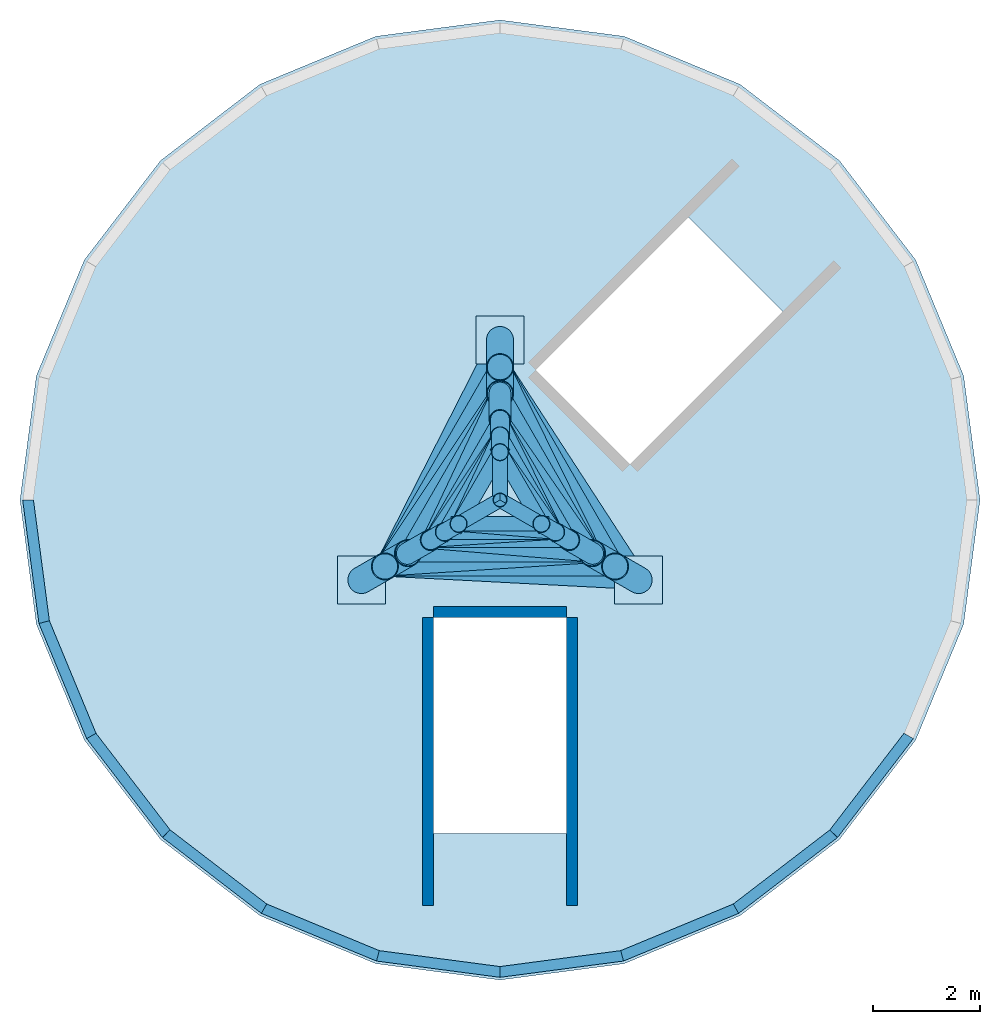
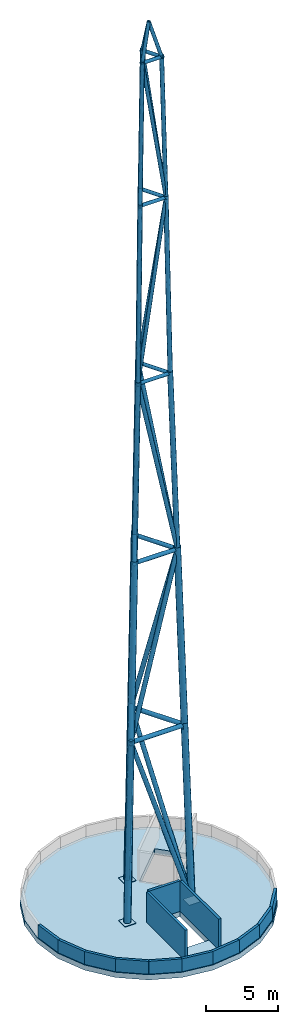
# One storey, part 1 of 2: 48 members, 13 walls, 3 plates, 1 slab.
"""IFC4 building model written with IfcOpenShell, lengths in metres."""

import ifcopenshell
import ifcopenshell.guid

model = None  # the IFC model being written
_history = None  # IfcOwnerHistory: only IFC2X3 demands one
_inside = {}  # id of a spatial element -> (the spatial element, [elements in it])
_under = {}  # id of a project, library or spatial element -> (it, [spatial elements below it])
_declared = {}  # id of a project -> (the project, [libraries it declares])
_typed = {}  # id of a type object -> (the type object, [elements of that type])
_made_of = {}  # id of a material, layer set ... -> (it, [elements and type objects made of it])


def new_model(schema):
    """Start an empty IFC model of exactly this schema.

    Asked for "IFC4X3", IfcOpenShell would pick the latest addendum, in which some entities
    have other attributes; the version numbers below select the first issue.
    IFC2X3 requires an IfcOwnerHistory on every rooted entity: one is made here for all.
    """
    global model, _history
    if schema == "IFC4X3":
        model = ifcopenshell.file(schema_version=(4, 3, 0, 0))
    else:
        model = ifcopenshell.file(schema=schema)
    _inside.clear()
    _under.clear()
    _declared.clear()
    _typed.clear()
    _made_of.clear()
    _history = None
    if model.schema == "IFC2X3":
        org = make("IfcOrganization", Name="unknown")
        user = make(
            "IfcPersonAndOrganization",
            ThePerson=make("IfcPerson", FamilyName="unknown"),
            TheOrganization=org,
        )
        app = make(
            "IfcApplication",
            ApplicationDeveloper=org,
            Version="unknown",
            ApplicationFullName="unknown",
            ApplicationIdentifier="unknown",
        )
        _history = make(
            "IfcOwnerHistory",
            OwningUser=user,
            OwningApplication=app,
            ChangeAction="ADDED",
            CreationDate=0,
        )
    return model


def make(cls, **values):
    """One entity of the class cls with the attributes given. An attribute that is None is left unset."""
    return model.create_entity(
        cls, **{name: value for name, value in values.items() if value is not None}
    )


def rooted(cls, **values):
    """An entity with a GlobalId (a new one), such as an element, a storey or a relation."""
    return make(cls, GlobalId=ifcopenshell.guid.new(), OwnerHistory=_history, **values)


def si_unit(unit_type, name, prefix=None):
    """IfcSIUnit, for example si_unit("LENGTHUNIT", "METRE", prefix="MILLI")."""
    return make("IfcSIUnit", UnitType=unit_type, Prefix=prefix, Name=name)


def assignment(units):
    """IfcUnitAssignment: the units of a project."""
    return None if units is None else make("IfcUnitAssignment", Units=units)


def point(xyz):
    """IfcCartesianPoint."""
    return None if xyz is None else make("IfcCartesianPoint", Coordinates=xyz)


def direction(xyz):
    """IfcDirection."""
    return None if xyz is None else make("IfcDirection", DirectionRatios=xyz)


def frame(location, z_axis=None, x_axis=None):
    """IfcAxis2Placement3D, a coordinate frame: its origin and axes. An axis left out is left unset."""
    return make(
        "IfcAxis2Placement3D",
        Location=point(location),
        Axis=direction(z_axis),
        RefDirection=direction(x_axis),
    )


def frame_2d(location, x_axis=None):
    """IfcAxis2Placement2D, a coordinate frame in the plane: its origin and x axis."""
    return make(
        "IfcAxis2Placement2D", Location=point(location), RefDirection=direction(x_axis)
    )


def origin():
    """The frame at (0, 0, 0) with its axes left unset."""
    return frame((0.0, 0.0, 0.0))


def origin_2d():
    """The frame at (0, 0) in the plane with its x axis left unset."""
    return frame_2d((0.0, 0.0))


def place(relative_to, where):
    """IfcLocalPlacement: puts the frame where relative to a parent placement (None: the world)."""
    return make(
        "IfcLocalPlacement", PlacementRelTo=relative_to, RelativePlacement=where
    )


def context(
    kind, dimensions, precision=None, world=None, true_north=None, identifier=None
):
    """IfcGeometricRepresentationContext, for example the 3D "Model" context."""
    return make(
        "IfcGeometricRepresentationContext",
        ContextIdentifier=identifier,
        ContextType=kind,
        CoordinateSpaceDimension=dimensions,
        Precision=precision,
        WorldCoordinateSystem=world,
        TrueNorth=true_north,
    )


def subcontext(parent, identifier, kind, view, scale=None):
    """IfcGeometricRepresentationSubContext, for example "Body" below "Model"."""
    return make(
        "IfcGeometricRepresentationSubContext",
        ContextIdentifier=identifier,
        ContextType=kind,
        ParentContext=parent,
        TargetScale=scale,
        TargetView=view,
    )


def project(units=None, contexts=None):
    """IfcProject with its units and contexts."""
    return rooted(
        "IfcProject",
        Name="project",
        RepresentationContexts=contexts,
        UnitsInContext=assignment(units),
    )


def spatial(cls, under=None, at=None, **own):
    """A site, building, storey or space (cls), placed at a placement, below another one or the project."""
    s = rooted(cls, ObjectPlacement=at, **own)
    if under is not None:
        _under.setdefault(under.id(), (under, []))[1].append(s)
    return s


def polyline(points):
    """IfcPolyline through the points."""
    return make("IfcPolyline", Points=[point(p) for p in points])


def profile(cls, at=None, kind="AREA", **sizes):
    """A parametric profile (cls). Its sizes go by their IFC names, for example OverallWidth=200.0."""
    return make(cls, ProfileType=kind, Position=at, **sizes)


def rectangle(**sizes):
    """IfcRectangleProfileDef."""
    return profile("IfcRectangleProfileDef", **sizes)


def hollow_circle(**sizes):
    """IfcCircleHollowProfileDef."""
    return profile("IfcCircleHollowProfileDef", **sizes)


def outline(outer, holes=None, kind="AREA"):
    """IfcArbitraryClosedProfileDef: a profile drawn as a closed curve; with holes, ...WithVoids."""
    if holes is None:
        return make("IfcArbitraryClosedProfileDef", ProfileType=kind, OuterCurve=outer)
    return make(
        "IfcArbitraryProfileDefWithVoids",
        ProfileType=kind,
        OuterCurve=outer,
        InnerCurves=holes,
    )


def extrude(swept, where, along, depth):
    """IfcExtrudedAreaSolid: the profile swept, set in the frame where, extruded along a direction by depth."""
    return make(
        "IfcExtrudedAreaSolid",
        SweptArea=swept,
        Position=where,
        ExtrudedDirection=direction(along),
        Depth=depth,
    )


def shape(context_of_items, identifier, shape_type, items):
    """IfcShapeRepresentation: the items that make up one representation, for example the "Body"."""
    return make(
        "IfcShapeRepresentation",
        ContextOfItems=context_of_items,
        RepresentationIdentifier=identifier,
        RepresentationType=shape_type,
        Items=items,
    )


def material(Name=None, Category=None):
    """IfcMaterial."""
    return make("IfcMaterial", Name=Name, Category=Category)


def layer(
    of_material, thickness, ventilated=None, Name=None, Category=None, Priority=None
):
    """IfcMaterialLayer: one layer of a wall or slab, of a material (None: an air gap)."""
    return make(
        "IfcMaterialLayer",
        Material=of_material,
        LayerThickness=thickness,
        IsVentilated=ventilated,
        Name=Name,
        Category=Category,
        Priority=Priority,
    )


def layer_set(layers, Name=None):
    """IfcMaterialLayerSet."""
    return make("IfcMaterialLayerSet", MaterialLayers=layers, LayerSetName=Name)


def layer_usage(for_layer_set, set_direction, sense, offset, extent=None):
    """IfcMaterialLayerSetUsage: how a layer set lies in its element."""
    return make(
        "IfcMaterialLayerSetUsage",
        ForLayerSet=for_layer_set,
        LayerSetDirection=set_direction,
        DirectionSense=sense,
        OffsetFromReferenceLine=offset,
        ReferenceExtent=extent,
    )


def material_profile(
    of_material, cross_section, Name=None, Category=None, Priority=None
):
    """IfcMaterialProfile: a cross section and its material."""
    return make(
        "IfcMaterialProfile",
        Name=Name,
        Material=of_material,
        Profile=cross_section,
        Priority=Priority,
        Category=Category,
    )


def profile_set(profiles, Name=None, composite=None):
    """IfcMaterialProfileSet."""
    return make(
        "IfcMaterialProfileSet",
        Name=Name,
        MaterialProfiles=profiles,
        CompositeProfile=composite,
    )


def made_of(thing, what):
    """Note that an element or type object is made of a material, layer set ...; save() writes the relation."""
    if what is not None:
        _made_of.setdefault(what.id(), (what, []))[1].append(thing)
    return thing


def type_object(cls, material=None, **own):
    """A type object (cls), such as IfcWallType, which elements share."""
    return made_of(rooted(cls, **own), material)


def element(
    cls,
    number,
    at=None,
    inside=None,
    cuts=None,
    type_object=None,
    material=None,
    context=None,
    identifier="Body",
    shape_type=None,
    held_by="IfcProductDefinitionShape",
    body=None,
    shapes=None,
    **own,
):
    """One element of the class cls, such as IfcWall. Its Tag is "e" and its number.

    at: its placement. inside: the storey or other place that contains it. cuts: it is an
    opening in that element (IfcRelVoidsElement). A single representation is given by context,
    identifier, shape_type and body (its items); several are given by shapes. held_by: the class
    of the entity that holds the representations. save() writes the other relations.
    """
    e = rooted(cls, Tag="e%d" % number, ObjectPlacement=at, **own)
    if body is not None:
        shapes = [shape(context, identifier, shape_type, body)]
    if shapes is not None:
        e.Representation = make(held_by, Representations=shapes)
    if inside is not None:
        _inside.setdefault(inside.id(), (inside, []))[1].append(e)
    if cuts is not None:
        rooted(
            "IfcRelVoidsElement", RelatingBuildingElement=cuts, RelatedOpeningElement=e
        )
    if type_object is not None:
        _typed.setdefault(type_object.id(), (type_object, []))[1].append(e)
    return made_of(e, material)


def aggregate(whole, parts):
    """IfcRelAggregates: a whole, such as a stair, and the parts it consists of."""
    return rooted("IfcRelAggregates", RelatingObject=whole, RelatedObjects=parts)


def save(model, path):
    """Write the relations noted so far, then the file.

    IfcRelAggregates (storeys below a building ...), IfcRelContainedInSpatialStructure (elements
    in a storey), IfcRelDefinesByType, IfcRelAssociatesMaterial and IfcRelDeclares: one each for
    every whole, place, type object, material and project.
    """
    for whole, parts in _under.values():
        aggregate(whole, parts)
    for where, things in _inside.values():
        rooted(
            "IfcRelContainedInSpatialStructure",
            RelatedElements=things,
            RelatingStructure=where,
        )
    for kind, things in _typed.values():
        rooted("IfcRelDefinesByType", RelatedObjects=things, RelatingType=kind)
    for what, things in _made_of.values():
        rooted("IfcRelAssociatesMaterial", RelatedObjects=things, RelatingMaterial=what)
    for by, libraries in _declared.values():
        rooted("IfcRelDeclares", RelatingContext=by, RelatedDefinitions=libraries)
    model.write(path)


model = new_model("IFC4")

# Units and contexts
model_context = context("Model", 3, precision=1e-05, world=origin(), true_north=direction((0.0, 1.0)))
body_context = subcontext(model_context, "Body", "Model", "MODEL_VIEW")
ifc_project = project(units=[si_unit("LENGTHUNIT", "METRE"), si_unit("AREAUNIT", "SQUARE_METRE"), si_unit("VOLUMEUNIT", "CUBIC_METRE"), si_unit("PLANEANGLEUNIT", "RADIAN"), si_unit("MASSUNIT", "GRAM", prefix="KILO")], contexts=[model_context])

# Site, building, storey
site_placement = place(None, origin())
site = spatial("IfcSite", under=ifc_project, at=site_placement, CompositionType="ELEMENT")
building_placement = place(site_placement, origin())
building = spatial("IfcBuilding", under=site, at=building_placement, Name="Triada Interchange Tower", CompositionType="ELEMENT")
storey_placement = place(building_placement, frame((0.0, 0.0, 335.800048828125)))
storey = spatial("IfcBuildingStorey", under=building, at=storey_placement, Name="Roof crown", CompositionType="ELEMENT", Elevation=335.800048828125)

# Members
ifc_material_1 = material(Name="Steel S355", Category="steel")
ifc_material_profile_1 = material_profile(ifc_material_1, hollow_circle(Radius=0.136474609375, WallThickness=0.010009765625, at=origin_2d()), Name="CHS 273x10")
ifc_profile_set_1 = profile_set([ifc_material_profile_1], Name="Steel S355")
member_type_1 = type_object("IfcMemberType", Name="MAST cap strut CHS 273x10", PredefinedType="BRACE", material=ifc_profile_set_1)
for number, where, z_axis, x_axis, name in (
    (1, (0.0, 0.89990234375, 72.0400390625), (0.0, -0.287319280374, 0.957834866313), (1.0, 0.0, 0.0), "MAST cap strut 01"),
    (2, (-0.779052734375, -0.449951171875, 72.0400390625), (0.248740265826, 0.143662898752, 0.957856592439), (-0.500137434689, 0.865946041288, 0.0), "MAST cap strut 02"),
    (3, (0.779052734375, -0.449951171875, 72.0400390625), (-0.248740265826, 0.143662898752, 0.957856592439), (-0.500137434689, -0.865946041288, 0.0), "MAST cap strut 03"),
):
    element("IfcMember", number, at=place(storey_placement, frame(where, z_axis=z_axis, x_axis=x_axis)), inside=storey, type_object=member_type_1, Name=name, PredefinedType="BRACE", context=body_context, shape_type="SweptSolid", body=[
        extrude(hollow_circle(Radius=0.136474609375, WallThickness=0.010009765625, at=origin_2d()), origin(), (0.0, 0.0, 1.0), 3.132080078125),
    ])
ifc_material_profile_2 = material_profile(ifc_material_1, hollow_circle(Radius=0.136474609375, WallThickness=0.010009765625, at=origin_2d()), Name="CHS 273x10")
ifc_profile_set_2 = profile_set([ifc_material_profile_2], Name="Steel S355")
member_type_2 = type_object("IfcMemberType", Name="MAST diag CHS 273x10", PredefinedType="BRACE", material=ifc_profile_set_2)
member_1_placement = place(storey_placement, frame((-1.31103515625, -0.76806640625, 44.905029296875), z_axis=(0.085601208954, 0.128504490652, 0.988007605693), x_axis=(-0.832254848635, 0.554393242133, 0.0)))
element("IfcMember", 4, at=member_1_placement, inside=storey, type_object=member_type_2, Name="MAST diagonal 10", PredefinedType="BRACE", context=body_context, shape_type="SweptSolid", body=[
    extrude(hollow_circle(Radius=0.136474609375, WallThickness=0.010009765625, at=origin_2d()), origin(), (0.0, 0.0, 1.0), 15.455322265625),
])
member_2_placement = place(storey_placement, frame((-1.320068359375, -0.7509765625, 44.905029296875), z_axis=(0.154002222854, 0.009825559813, 0.988021646388), x_axis=(-0.063671954956, 0.997970882417, 0.0)))
element("IfcMember", 5, at=member_2_placement, inside=storey, type_object=member_type_2, Name="MAST diagonal 11", PredefinedType="BRACE", context=body_context, shape_type="SweptSolid", body=[
    extrude(hollow_circle(Radius=0.136474609375, WallThickness=0.010009765625, at=origin_2d()), origin(), (0.0, 0.0, 1.0), 15.455078125),
])
member_3_placement = place(storey_placement, frame((-0.009033203125, 1.51904296875, 44.905029296875), z_axis=(0.068462653547, -0.138331208378, 0.988016873266), x_axis=(0.89624152386, 0.443566377117, 0.0)))
element("IfcMember", 6, at=member_3_placement, inside=storey, type_object=member_type_2, Name="MAST diagonal 12", PredefinedType="BRACE", context=body_context, shape_type="SweptSolid", body=[
    extrude(hollow_circle(Radius=0.136474609375, WallThickness=0.010009765625, at=origin_2d()), origin(), (0.0, 0.0, 1.0), 15.455322265625),
])
for number, where, z_axis, x_axis, name in (
    (7, (0.009033203125, 1.218994140625, 59.905029296875), (-0.064225750156, -0.136005156686, 0.988624119861), (0.904245841249, -0.42701224641, 0.0), "MAST diagonal 13"),
    (8, (1.06005859375, -0.60205078125, 59.905029296875), (-0.149873670301, 0.01241242761, 0.988627237431), (-0.082536690481, -0.996588026581, 0.0), "MAST diagonal 14"),
    (9, (1.051025390625, -0.616943359375, 59.905029296875), (-0.085647948228, 0.123593490748, 0.988629899411), (-0.821933085745, -0.569584061011, 0.0), "MAST diagonal 15"),
):
    element("IfcMember", number, at=place(storey_placement, frame(where, z_axis=z_axis, x_axis=x_axis)), inside=storey, type_object=member_type_2, Name=name, PredefinedType="BRACE", context=body_context, shape_type="SweptSolid", body=[
        extrude(hollow_circle(Radius=0.136474609375, WallThickness=0.010009765625, at=origin_2d()), origin(), (0.0, 0.0, 1.0), 12.4111328125),
    ])
ifc_material_profile_3 = material_profile(ifc_material_1, hollow_circle(Radius=0.161865234375, WallThickness=0.010009765625, at=origin_2d()), Name="CHS 323.9x10")
ifc_profile_set_3 = profile_set([ifc_material_profile_3], Name="Steel S355")
member_type_3 = type_object("IfcMemberType", Name="MAST diag CHS 323.9x10", PredefinedType="BRACE", material=ifc_profile_set_3)
member_4_placement = place(storey_placement, frame((0.013916015625, 2.029052734375, 29.880859375), z_axis=(-0.084895771097, -0.179663506745, 0.980058025014), x_axis=(0.904142387177, -0.4272312532, 0.0)))
element("IfcMember", 10, at=member_4_placement, inside=storey, type_object=member_type_3, Name="MAST diagonal 07", PredefinedType="BRACE", context=body_context, shape_type="SweptSolid", body=[
    extrude(hollow_circle(Radius=0.161865234375, WallThickness=0.010009765625, at=origin_2d()), origin(), (0.0, 0.0, 1.0), 15.6298828125),
])
for number, where, z_axis, x_axis, name in (
    (11, (1.763916015625, -1.0029296875, 29.880859375), (-0.198017977424, 0.016370027636, 0.980061683167), (-0.082388350189, -0.9966003009, 0.0), "MAST diagonal 08"),
    (12, (1.75, -1.02587890625, 29.880859375), (-0.113123459485, 0.163265175165, 0.980075285625), (-0.821971301659, -0.569528909933, 0.0), "MAST diagonal 09"),
):
    element("IfcMember", number, at=place(storey_placement, frame(where, z_axis=z_axis, x_axis=x_axis)), inside=storey, type_object=member_type_3, Name=name, PredefinedType="BRACE", context=body_context, shape_type="SweptSolid", body=[
        extrude(hollow_circle(Radius=0.161865234375, WallThickness=0.010009765625, at=origin_2d()), origin(), (0.0, 0.0, 1.0), 15.629638671875),
    ])
ifc_material_profile_4 = material_profile(ifc_material_1, hollow_circle(Radius=0.177734375, WallThickness=0.012451171875, at=origin_2d()), Name="CHS 355.6x12.5")
ifc_profile_set_4 = profile_set([ifc_material_profile_4], Name="Steel S355")
member_type_4 = type_object("IfcMemberType", Name="MAST diag CHS 355.6x12.5", PredefinedType="BRACE", material=ifc_profile_set_4)
for number, where, z_axis, x_axis, name in (
    (13, (0.0, 3.0, 0.0400390625), (-0.137580856494, -0.270023520466, 0.952973665072), (0.891010527346, -0.453982643016, 0.0), "MAST diagonal 01"),
    (14, (2.597900390625, -1.5, 0.0400390625), (-0.30261833847, 0.015890146916, 0.952979351535), (-0.052436630849, -0.998624253533, 0.0), "MAST diagonal 02"),
):
    element("IfcMember", number, at=place(storey_placement, frame(where, z_axis=z_axis, x_axis=x_axis)), inside=storey, type_object=member_type_4, Name=name, PredefinedType="BRACE", context=body_context, shape_type="SweptSolid", body=[
        extrude(hollow_circle(Radius=0.177734375, WallThickness=0.012451171875, at=origin_2d()), origin(), (0.0, 0.0, 1.0), 15.91748046875),
    ])
member_5_placement = place(storey_placement, frame((2.597900390625, -1.5, 0.0400390625), z_axis=(-0.165038019385, 0.254121738399, 0.952987195208), x_axis=(-0.838656348094, -0.544660931041, 0.0)))
element("IfcMember", 15, at=member_5_placement, inside=storey, type_object=member_type_4, Name="MAST diagonal 03", PredefinedType="BRACE", context=body_context, shape_type="SweptSolid", body=[
    extrude(hollow_circle(Radius=0.177734375, WallThickness=0.012451171875, at=origin_2d()), origin(), (0.0, 0.0, 1.0), 15.917236328125),
])
member_6_placement = place(storey_placement, frame((-2.18994140625, -1.287109375, 14.867919921875), z_axis=(0.139690070461, 0.209658289175, 0.967744845502), x_axis=(-0.8322007113, 0.554474504474, 0.0)))
element("IfcMember", 16, at=member_6_placement, inside=storey, type_object=member_type_4, Name="MAST diagonal 04", PredefinedType="BRACE", context=body_context, shape_type="SweptSolid", body=[
    extrude(hollow_circle(Radius=0.177734375, WallThickness=0.012451171875, at=origin_2d()), origin(), (0.0, 0.0, 1.0), 15.85546875),
])
member_7_placement = place(storey_placement, frame((-2.2099609375, -1.2529296875, 14.867919921875), z_axis=(0.2514606068, 0.016136838891, 0.967733003291), x_axis=(-0.064040705224, 0.997947287222, 0.0)))
element("IfcMember", 17, at=member_7_placement, inside=storey, type_object=member_type_4, Name="MAST diagonal 05", PredefinedType="BRACE", context=body_context, shape_type="SweptSolid", body=[
    extrude(hollow_circle(Radius=0.177734375, WallThickness=0.012451171875, at=origin_2d()), origin(), (0.0, 0.0, 1.0), 15.855712890625),
])
member_8_placement = place(storey_placement, frame((-0.02001953125, 2.5400390625, 14.867919921875), z_axis=(0.111758019197, -0.225794928838, 0.96774314529), x_axis=(0.896228954723, 0.443591772598, 0.0)))
element("IfcMember", 18, at=member_8_placement, inside=storey, type_object=member_type_4, Name="MAST diagonal 06", PredefinedType="BRACE", context=body_context, shape_type="SweptSolid", body=[
    extrude(hollow_circle(Radius=0.177734375, WallThickness=0.012451171875, at=origin_2d()), origin(), (0.0, 0.0, 1.0), 15.85546875),
])
ifc_material_profile_5 = material_profile(ifc_material_1, hollow_circle(Radius=0.161865234375, WallThickness=0.010009765625, at=origin_2d()), Name="CHS 323.9x10")
ifc_profile_set_5 = profile_set([ifc_material_profile_5], Name="Steel S355")
member_type_5 = type_object("IfcMemberType", Name="MAST leg CHS 323.9x10", PredefinedType="POST", material=ifc_profile_set_5)
for number, where, z_axis, x_axis, name in (
    (19, (0.0, 1.2041015625, 59.8779296875), (0.0, -0.024992685952, 0.999687634038), (1.0, 0.0, 0.0), "MAST leg 13"),
    (20, (-1.04296875, -0.60205078125, 59.8779296875), (0.021665598902, 0.01249633721, 0.99968717276), (-0.499631054408, 0.866238309861, 0.0), "MAST leg 14"),
    (21, (1.04296875, -0.60205078125, 59.8779296875), (-0.021665598902, 0.01249633721, 0.99968717276), (-0.499631054408, -0.866238309861, 0.0), "MAST leg 15"),
):
    element("IfcMember", number, at=place(storey_placement, frame(where, z_axis=z_axis, x_axis=x_axis)), inside=storey, type_object=member_type_5, Name=name, PredefinedType="POST", context=body_context, shape_type="SweptSolid", body=[
        extrude(hollow_circle(Radius=0.161865234375, WallThickness=0.010009765625, at=origin_2d()), origin(), (0.0, 0.0, 1.0), 12.327880859375),
    ])
ifc_material_profile_6 = material_profile(ifc_material_1, hollow_circle(Radius=0.177734375, WallThickness=0.012451171875, at=origin_2d()), Name="CHS 355.6x12.5")
ifc_profile_set_6 = profile_set([ifc_material_profile_6], Name="Steel S355")
member_type_6 = type_object("IfcMemberType", Name="MAST leg CHS 355.6x12.5", PredefinedType="POST", material=ifc_profile_set_6)
for number, where, z_axis, x_axis, name in (
    (22, (0.0, 1.50390625, 44.862060546875), (0.0, -0.020044304365, 0.999799092749), (1.0, 0.0, 0.0), "MAST leg 10"),
    (23, (-1.302001953125, -0.751953125, 44.862060546875), (0.01732617162, 0.010030104855, 0.999799580303), (-0.501004972023, 0.865444404921, 0.0), "MAST leg 11"),
    (24, (1.302001953125, -0.751953125, 44.862060546875), (-0.01732617162, 0.010030104855, 0.999799580303), (-0.501004972023, -0.865444404921, 0.0), "MAST leg 12"),
):
    element("IfcMember", number, at=place(storey_placement, frame(where, z_axis=z_axis, x_axis=x_axis)), inside=storey, type_object=member_type_6, Name=name, PredefinedType="POST", context=body_context, shape_type="SweptSolid", body=[
        extrude(hollow_circle(Radius=0.177734375, WallThickness=0.012451171875, at=origin_2d()), origin(), (0.0, 0.0, 1.0), 15.359130859375),
    ])
ifc_material_profile_7 = material_profile(ifc_material_1, hollow_circle(Radius=0.203125, WallThickness=0.012451171875, at=origin_2d()), Name="CHS 406.4x12.5")
ifc_profile_set_7 = profile_set([ifc_material_profile_7], Name="Steel S355")
member_type_7 = type_object("IfcMemberType", Name="MAST leg CHS 406.4x12.5", PredefinedType="POST", material=ifc_profile_set_7)
for number, where, z_axis, x_axis, name in (
    (25, (0.0, 2.007080078125, 29.8369140625), (0.0, -0.033355436695, 0.999443552605), (1.0, 0.0, 0.0), "MAST leg 07"),
    (26, (-1.738037109375, -1.0029296875, 29.8369140625), (0.028873250163, 0.016598555222, 0.999445257825), (-0.498390707405, 0.866952537785, 0.0), "MAST leg 08"),
    (27, (1.738037109375, -1.0029296875, 29.8369140625), (-0.028873250163, 0.016598555222, 0.999445257825), (-0.498390707405, -0.866952537785, 0.0), "MAST leg 09"),
):
    element("IfcMember", number, at=place(storey_placement, frame(where, z_axis=z_axis, x_axis=x_axis)), inside=storey, type_object=member_type_7, Name=name, PredefinedType="POST", context=body_context, shape_type="SweptSolid", body=[
        extrude(hollow_circle(Radius=0.203125, WallThickness=0.012451171875, at=origin_2d()), origin(), (0.0, 0.0, 1.0), 15.41455078125),
    ])
ifc_material_profile_8 = material_profile(ifc_material_1, hollow_circle(Radius=0.25390625, WallThickness=0.01611328125, at=origin_2d()), Name="CHS 508x16")
ifc_profile_set_8 = profile_set([ifc_material_profile_8], Name="Steel S355")
member_type_8 = type_object("IfcMemberType", Name="MAST leg CHS 508x16", PredefinedType="POST", material=ifc_profile_set_8)
for number, where, z_axis, x_axis, name in (
    (28, (0.0, 3.0, 0.0400390625), (0.0, -0.033288199391, 0.999445794319), (1.0, 0.0, 0.0), "MAST leg 01"),
    (29, (-2.597900390625, -1.5, 0.0400390625), (0.0288252517, 0.01663610531, 0.999446018985), (-0.499861143294, 0.8661055579, 0.0), "MAST leg 02"),
    (30, (2.597900390625, -1.5, 0.0400390625), (-0.0288252517, 0.01663610531, 0.999446018985), (-0.499861143294, -0.8661055579, 0.0), "MAST leg 03"),
):
    element("IfcMember", number, at=place(storey_placement, frame(where, z_axis=z_axis, x_axis=x_axis)), inside=storey, type_object=member_type_8, Name=name, PredefinedType="POST", context=body_context, shape_type="SweptSolid", body=[
        extrude(hollow_circle(Radius=0.25390625, WallThickness=0.01611328125, at=origin_2d()), origin(), (0.0, 0.0, 1.0), 15.262451171875),
    ])
for number, where, z_axis, x_axis, name in (
    (31, (0.0, 2.508056640625, 14.785888671875), (0.0, -0.03326191746, 0.999446669336), (1.0, 0.0, 0.0), "MAST leg 04"),
    (32, (-2.172119140625, -1.25390625, 14.785888671875), (0.028809167768, 0.016615227287, 0.999446830039), (-0.499599577513, 0.866256464419, 0.0), "MAST leg 05"),
    (33, (2.172119140625, -1.25390625, 14.785888671875), (-0.028809167768, 0.016615227287, 0.999446830039), (-0.499599577513, -0.866256464419, 0.0), "MAST leg 06"),
):
    element("IfcMember", number, at=place(storey_placement, frame(where, z_axis=z_axis, x_axis=x_axis)), inside=storey, type_object=member_type_8, Name=name, PredefinedType="POST", context=body_context, shape_type="SweptSolid", body=[
        extrude(hollow_circle(Radius=0.25390625, WallThickness=0.01611328125, at=origin_2d()), origin(), (0.0, 0.0, 1.0), 15.5166015625),
    ])
ifc_material_profile_9 = material_profile(ifc_material_1, hollow_circle(Radius=0.136474609375, WallThickness=0.010009765625, at=origin_2d()), Name="CHS 273x10")
ifc_profile_set_9 = profile_set([ifc_material_profile_9], Name="Steel S355")
member_type_9 = type_object("IfcMemberType", Name="MAST ring CHS 273x10", PredefinedType="CHORD", material=ifc_profile_set_9)
member_9_placement = place(storey_placement, frame((0.068115234375, 1.617919921875, 45.0400390625), z_axis=(-0.499962971776, -0.866046780984, 0.0), x_axis=(0.866046780984, -0.499962971776, 0.0)))
element("IfcMember", 34, at=member_9_placement, inside=storey, type_object=member_type_9, Name="MAST ring member 07", PredefinedType="CHORD", context=body_context, shape_type="SweptSolid", body=[
    extrude(hollow_circle(Radius=0.136474609375, WallThickness=0.010009765625, at=origin_2d()), origin(), (0.0, 0.0, 1.0), 2.870361328125),
])
member_10_placement = place(storey_placement, frame((-1.43603515625, -0.75, 45.0400390625), z_axis=(1.0, 0.0, 0.0), x_axis=(0.0, 1.0, 0.0)))
element("IfcMember", 35, at=member_10_placement, inside=storey, type_object=member_type_9, Name="MAST ring member 08", PredefinedType="CHORD", context=body_context, shape_type="SweptSolid", body=[
    extrude(hollow_circle(Radius=0.136474609375, WallThickness=0.010009765625, at=origin_2d()), origin(), (0.0, 0.0, 1.0), 2.8720703125),
])
member_11_placement = place(storey_placement, frame((1.366943359375, -0.867919921875, 45.0400390625), z_axis=(-0.499962971776, 0.866046780984, 0.0), x_axis=(-0.866046780984, -0.499962971776, 0.0)))
element("IfcMember", 36, at=member_11_placement, inside=storey, type_object=member_type_9, Name="MAST ring member 09", PredefinedType="CHORD", context=body_context, shape_type="SweptSolid", body=[
    extrude(hollow_circle(Radius=0.136474609375, WallThickness=0.010009765625, at=origin_2d()), origin(), (0.0, 0.0, 1.0), 2.870361328125),
])
member_12_placement = place(storey_placement, frame((0.068115234375, 1.318115234375, 60.0400390625), z_axis=(-0.499836328293, -0.866119879069, 0.0), x_axis=(0.866119879069, -0.499836328293, 0.0)))
element("IfcMember", 37, at=member_12_placement, inside=storey, type_object=member_type_9, Name="MAST ring member 10", PredefinedType="CHORD", context=body_context, shape_type="SweptSolid", body=[
    extrude(hollow_circle(Radius=0.136474609375, WallThickness=0.010009765625, at=origin_2d()), origin(), (0.0, 0.0, 1.0), 2.350830078125),
])
member_13_placement = place(storey_placement, frame((-1.176025390625, -0.60009765625, 60.0400390625), z_axis=(1.0, 0.0, 0.0), x_axis=(0.0, 1.0, 0.0)))
element("IfcMember", 38, at=member_13_placement, inside=storey, type_object=member_type_9, Name="MAST ring member 11", PredefinedType="CHORD", context=body_context, shape_type="SweptSolid", body=[
    extrude(hollow_circle(Radius=0.136474609375, WallThickness=0.010009765625, at=origin_2d()), origin(), (0.0, 0.0, 1.0), 2.35205078125),
])
member_14_placement = place(storey_placement, frame((1.10693359375, -0.718017578125, 60.0400390625), z_axis=(-0.499836328293, 0.866119879069, 0.0), x_axis=(-0.866119879069, -0.499836328293, 0.0)))
element("IfcMember", 39, at=member_14_placement, inside=storey, type_object=member_type_9, Name="MAST ring member 12", PredefinedType="CHORD", context=body_context, shape_type="SweptSolid", body=[
    extrude(hollow_circle(Radius=0.136474609375, WallThickness=0.010009765625, at=origin_2d()), origin(), (0.0, 0.0, 1.0), 2.350830078125),
])
member_15_placement = place(storey_placement, frame((0.068115234375, 1.01806640625, 72.0400390625), z_axis=(-0.500095494381, -0.865970263058, 0.0), x_axis=(0.865970263058, -0.500095494381, 0.0)))
element("IfcMember", 40, at=member_15_placement, inside=storey, type_object=member_type_9, Name="MAST ring member 13", PredefinedType="CHORD", context=body_context, shape_type="SweptSolid", body=[
    extrude(hollow_circle(Radius=0.136474609375, WallThickness=0.010009765625, at=origin_2d()), origin(), (0.0, 0.0, 1.0), 1.831787109375),
])
member_16_placement = place(storey_placement, frame((-0.916015625, -0.449951171875, 72.0400390625), z_axis=(1.0, 0.0, 0.0), x_axis=(0.0, 1.0, 0.0)))
element("IfcMember", 41, at=member_16_placement, inside=storey, type_object=member_type_9, Name="MAST ring member 14", PredefinedType="CHORD", context=body_context, shape_type="SweptSolid", body=[
    extrude(hollow_circle(Radius=0.136474609375, WallThickness=0.010009765625, at=origin_2d()), origin(), (0.0, 0.0, 1.0), 1.83203125),
])
member_17_placement = place(storey_placement, frame((0.847900390625, -0.568115234375, 72.0400390625), z_axis=(-0.500095494381, 0.865970263058, 0.0), x_axis=(-0.865970263058, -0.500095494381, 0.0)))
element("IfcMember", 42, at=member_17_placement, inside=storey, type_object=member_type_9, Name="MAST ring member 15", PredefinedType="CHORD", context=body_context, shape_type="SweptSolid", body=[
    extrude(hollow_circle(Radius=0.136474609375, WallThickness=0.010009765625, at=origin_2d()), origin(), (0.0, 0.0, 1.0), 1.831787109375),
])
ifc_material_profile_10 = material_profile(ifc_material_1, hollow_circle(Radius=0.161865234375, WallThickness=0.010009765625, at=origin_2d()), Name="CHS 323.9x10")
ifc_profile_set_10 = profile_set([ifc_material_profile_10], Name="Steel S355")
member_type_10 = type_object("IfcMemberType", Name="MAST ring CHS 323.9x10", PredefinedType="CHORD", material=ifc_profile_set_10)
member_18_placement = place(storey_placement, frame((0.0810546875, 2.139892578125, 30.0400390625), z_axis=(-0.500090717682, -0.865973021571, 0.0), x_axis=(0.865973021571, -0.500090717682, 0.0)))
element("IfcMember", 43, at=member_18_placement, inside=storey, type_object=member_type_10, Name="MAST ring member 04", PredefinedType="CHORD", context=body_context, shape_type="SweptSolid", body=[
    extrude(hollow_circle(Radius=0.161865234375, WallThickness=0.010009765625, at=origin_2d()), origin(), (0.0, 0.0, 1.0), 3.787353515625),
])
member_19_placement = place(storey_placement, frame((-1.89404296875, -1.0, 30.0400390625), z_axis=(1.0, 0.0, 0.0), x_axis=(0.0, 1.0, 0.0)))
element("IfcMember", 44, at=member_19_placement, inside=storey, type_object=member_type_10, Name="MAST ring member 05", PredefinedType="CHORD", context=body_context, shape_type="SweptSolid", body=[
    extrude(hollow_circle(Radius=0.161865234375, WallThickness=0.010009765625, at=origin_2d()), origin(), (0.0, 0.0, 1.0), 3.7880859375),
])
member_20_placement = place(storey_placement, frame((1.81298828125, -1.139892578125, 30.0400390625), z_axis=(-0.500090717682, 0.865973021571, 0.0), x_axis=(-0.865973021571, -0.500090717682, 0.0)))
element("IfcMember", 45, at=member_20_placement, inside=storey, type_object=member_type_10, Name="MAST ring member 06", PredefinedType="CHORD", context=body_context, shape_type="SweptSolid", body=[
    extrude(hollow_circle(Radius=0.161865234375, WallThickness=0.010009765625, at=origin_2d()), origin(), (0.0, 0.0, 1.0), 3.787353515625),
])
ifc_material_profile_11 = material_profile(ifc_material_1, hollow_circle(Radius=0.177734375, WallThickness=0.012451171875, at=origin_2d()), Name="CHS 355.6x12.5")
ifc_profile_set_11 = profile_set([ifc_material_profile_11], Name="Steel S355")
member_type_11 = type_object("IfcMemberType", Name="MAST ring CHS 355.6x12.5", PredefinedType="CHORD", material=ifc_profile_set_11)
for number, where, z_axis, x_axis, name in (
    (46, (0.089111328125, 2.654052734375, 15.0400390625), (-0.500011090606, -0.866019000526, 0.0), (0.866019000526, -0.500011090606, 0.0), "MAST ring member 01"),
    (47, (-2.343017578125, -1.25, 15.0400390625), (1.0, 0.0, 0.0), (0.0, 1.0, 0.0), "MAST ring member 02"),
    (48, (2.25390625, -1.404052734375, 15.0400390625), (-0.500011090606, 0.866019000526, 0.0), (-0.866019000526, -0.500011090606, 0.0), "MAST ring member 03"),
):
    element("IfcMember", number, at=place(storey_placement, frame(where, z_axis=z_axis, x_axis=x_axis)), inside=storey, type_object=member_type_11, Name=name, PredefinedType="CHORD", context=body_context, shape_type="SweptSolid", body=[
        extrude(hollow_circle(Radius=0.177734375, WallThickness=0.012451171875, at=origin_2d()), origin(), (0.0, 0.0, 1.0), 4.68603515625),
    ])

# Slab
ifc_material_2 = material(Name="Concrete C40/50", Category="concrete")
ifc_layer_1 = layer(ifc_material_2, 0.449951171875)
ifc_layer_set_1 = layer_set([ifc_layer_1], Name="Crown roof slab 450")
slab_type = type_object("IfcSlabType", Name="Crown roof slab 450", PredefinedType="ROOF", material=ifc_layer_set_1)
slab_placement = place(storey_placement, frame((0.0, 0.0, -0.449951171875)))
element("IfcSlab", 49, at=slab_placement, inside=storey, type_object=slab_type, Name="Crown roof slab", PredefinedType="ROOF", context=body_context, shape_type="SweptSolid", body=[
    extrude(outline(polyline([(9.0, 0.0), (8.693115234375, 2.3291015625), (7.7939453125, 4.5), (6.364013671875, 6.364013671875), (4.5, 7.7939453125), (2.3291015625, 8.693115234375), (0.0, 9.0), (-2.3291015625, 8.693115234375), (-4.5, 7.7939453125), (-6.364013671875, 6.364013671875), (-7.7939453125, 4.5), (-8.693115234375, 2.3291015625), (-9.0, 0.0), (-8.693115234375, -2.3291015625), (-7.7939453125, -4.5), (-6.364013671875, -6.364013671875), (-4.5, -7.7939453125), (-2.3291015625, -8.693115234375), (0.0, -9.0), (2.3291015625, -8.693115234375), (4.5, -7.7939453125), (6.364013671875, -6.364013671875), (7.7939453125, -4.5), (8.693115234375, -2.3291015625), (9.0, 0.0)]), holes=[polyline([(0.672119140625, 2.43994140625), (3.535888671875, 5.302978515625), (5.302978515625, 3.535888671875), (2.43994140625, 0.672119140625), (0.672119140625, 2.43994140625)]), polyline([(1.25, -2.199951171875), (1.25, -6.25), (-1.25, -6.25), (-1.25, -2.199951171875), (1.25, -2.199951171875)])]), origin(), (0.0, 0.0, 1.0), 0.449951171875),
])

# Plates
ifc_layer_2 = layer(ifc_material_1, 0.0400390625)
ifc_layer_set_2 = layer_set([ifc_layer_2], Name="Mast base plate 40")
plate_type = type_object("IfcPlateType", Name="Mast base plate 40", PredefinedType="SHEET", material=ifc_layer_set_2)
for number, where, z_axis, x_axis, name in (
    (50, (0.0, 3.0, 0.0), (0.0, 0.0, 1.0), (1.0, 0.0, 0.0), "Mast base plate 01"),
    (51, (-2.597900390625, -1.5, 0.0), (0.0, 0.0, 1.0), (1.0, 0.0, 0.0), "Mast base plate 02"),
    (52, (2.597900390625, -1.5, 0.0), (0.0, 0.0, 1.0), (1.0, 0.0, 0.0), "Mast base plate 03"),
):
    element("IfcPlate", number, at=place(storey_placement, frame(where, z_axis=z_axis, x_axis=x_axis)), inside=storey, type_object=plate_type, Name=name, PredefinedType="SHEET", context=body_context, shape_type="SweptSolid", body=[
        extrude(rectangle(XDim=0.89990234375, YDim=0.89990234375, at=origin_2d()), origin(), (0.0, 0.0, 1.0), 0.0400390625),
    ])

# Walls
ifc_layer_3 = layer(ifc_material_2, 0.199951171875, Name="Reinforced concrete parapet")
ifc_layer_set_3 = layer_set([ifc_layer_3], Name="Parapet wall 1100 x 200 crown deck")
ifc_layer_usage_1 = layer_usage(ifc_layer_set_3, "AXIS2", "POSITIVE", -0.10009765625)
wall_type_1 = type_object("IfcWallType", Name="Parapet wall 1100 x 200 crown deck", PredefinedType="PARAPET", material=ifc_layer_set_3)
wall_1_placement = place(storey_placement, frame((-8.84912109375, 0.0, 0.0), z_axis=(0.0, 0.0, 1.0), x_axis=(0.130744321961, -0.991416119636, 0.0)))
element("IfcWall", 53, at=wall_1_placement, inside=storey, type_object=wall_type_1, material=ifc_layer_usage_1, Name="Crown deck parapet 13", PredefinedType="PARAPET", context=body_context, shape_type="SweptSolid", body=[
    extrude(outline(polyline([(-0.01318359375, -0.10009765625), (1.15478515625, -0.10009765625), (2.32275390625, -0.10009765625), (2.29638671875, 0.10009765625), (1.15478515625, 0.10009765625), (0.01318359375, 0.10009765625), (-0.01318359375, -0.10009765625)])), origin(), (0.0, 0.0, 1.0), 1.099853515625),
])
wall_2_placement = place(storey_placement, frame((-8.547119140625, -2.2900390625, 0.0), z_axis=(0.0, 0.0, 1.0), x_axis=(0.382715841974, -0.923866107346, 0.0)))
element("IfcWall", 54, at=wall_2_placement, inside=storey, type_object=wall_type_1, material=ifc_layer_usage_1, Name="Crown deck parapet 14", PredefinedType="PARAPET", context=body_context, shape_type="SweptSolid", body=[
    extrude(outline(polyline([(-0.01318359375, -0.10009765625), (1.1552734375, -0.10009765625), (2.323486328125, -0.10009765625), (2.297119140625, 0.10009765625), (1.1552734375, 0.10009765625), (0.01318359375, 0.10009765625), (-0.01318359375, -0.10009765625)])), origin(), (0.0, 0.0, 1.0), 1.099853515625),
])
for number, where, z_axis, x_axis, name in (
    (55, (-7.6630859375, -4.424072265625, 0.0), (0.0, 0.0, 1.0), (0.608622330426, -0.793460055016, 0.0), "Crown deck parapet 15"),
    (56, (-6.257080078125, -6.257080078125, 0.0), (0.0, 0.0, 1.0), (0.793460055016, -0.608622330426, 0.0), "Crown deck parapet 16"),
):
    element("IfcWall", number, at=place(storey_placement, frame(where, z_axis=z_axis, x_axis=x_axis)), inside=storey, type_object=wall_type_1, material=ifc_layer_usage_1, Name=name, PredefinedType="PARAPET", context=body_context, shape_type="SweptSolid", body=[
        extrude(outline(polyline([(-0.01318359375, -0.10009765625), (1.15478515625, -0.10009765625), (2.322998046875, -0.10009765625), (2.296630859375, 0.10009765625), (1.15478515625, 0.10009765625), (0.01318359375, 0.10009765625), (-0.01318359375, -0.10009765625)])), origin(), (0.0, 0.0, 1.0), 1.099853515625),
    ])
wall_3_placement = place(storey_placement, frame((-4.424072265625, -7.6630859375, 0.0), z_axis=(0.0, 0.0, 1.0), x_axis=(0.923866107346, -0.382715841974, 0.0)))
element("IfcWall", 57, at=wall_3_placement, inside=storey, type_object=wall_type_1, material=ifc_layer_usage_1, Name="Crown deck parapet 17", PredefinedType="PARAPET", context=body_context, shape_type="SweptSolid", body=[
    extrude(outline(polyline([(-0.01318359375, -0.10009765625), (1.1552734375, -0.10009765625), (2.323486328125, -0.10009765625), (2.297119140625, 0.10009765625), (1.1552734375, 0.10009765625), (0.01318359375, 0.10009765625), (-0.01318359375, -0.10009765625)])), origin(), (0.0, 0.0, 1.0), 1.099853515625),
])
for number, where, z_axis, x_axis, name in (
    (58, (-2.2900390625, -8.547119140625, 0.0), (0.0, 0.0, 1.0), (0.991416119636, -0.130744321961, 0.0), "Crown deck parapet 18"),
    (59, (0.0, -8.84912109375, 0.0), (0.0, 0.0, 1.0), (0.991416119636, 0.130744321961, 0.0), "Crown deck parapet 19"),
):
    element("IfcWall", number, at=place(storey_placement, frame(where, z_axis=z_axis, x_axis=x_axis)), inside=storey, type_object=wall_type_1, material=ifc_layer_usage_1, Name=name, PredefinedType="PARAPET", context=body_context, shape_type="SweptSolid", body=[
        extrude(outline(polyline([(-0.01318359375, -0.10009765625), (1.15478515625, -0.10009765625), (2.32275390625, -0.10009765625), (2.29638671875, 0.10009765625), (1.15478515625, 0.10009765625), (0.01318359375, 0.10009765625), (-0.01318359375, -0.10009765625)])), origin(), (0.0, 0.0, 1.0), 1.099853515625),
    ])
wall_4_placement = place(storey_placement, frame((2.2900390625, -8.547119140625, 0.0), z_axis=(0.0, 0.0, 1.0), x_axis=(0.923866107346, 0.382715841974, 0.0)))
element("IfcWall", 60, at=wall_4_placement, inside=storey, type_object=wall_type_1, material=ifc_layer_usage_1, Name="Crown deck parapet 20", PredefinedType="PARAPET", context=body_context, shape_type="SweptSolid", body=[
    extrude(outline(polyline([(-0.01318359375, -0.10009765625), (1.1552734375, -0.10009765625), (2.323486328125, -0.10009765625), (2.297119140625, 0.10009765625), (1.1552734375, 0.10009765625), (0.01318359375, 0.10009765625), (-0.01318359375, -0.10009765625)])), origin(), (0.0, 0.0, 1.0), 1.099853515625),
])
for number, where, z_axis, x_axis, name in (
    (61, (4.424072265625, -7.6630859375, 0.0), (0.0, 0.0, 1.0), (0.793460055016, 0.608622330426, 0.0), "Crown deck parapet 21"),
    (62, (6.257080078125, -6.257080078125, 0.0), (0.0, 0.0, 1.0), (0.608622330426, 0.793460055016, 0.0), "Crown deck parapet 22"),
):
    element("IfcWall", number, at=place(storey_placement, frame(where, z_axis=z_axis, x_axis=x_axis)), inside=storey, type_object=wall_type_1, material=ifc_layer_usage_1, Name=name, PredefinedType="PARAPET", context=body_context, shape_type="SweptSolid", body=[
        extrude(outline(polyline([(-0.01318359375, -0.10009765625), (1.15478515625, -0.10009765625), (2.322998046875, -0.10009765625), (2.296630859375, 0.10009765625), (1.15478515625, 0.10009765625), (0.01318359375, 0.10009765625), (-0.01318359375, -0.10009765625)])), origin(), (0.0, 0.0, 1.0), 1.099853515625),
    ])
ifc_layer_4 = layer(ifc_material_2, 0.199951171875, Name="Reinforced concrete hood wall")
ifc_layer_set_4 = layer_set([ifc_layer_4], Name="Parapet wall 2600 x 200 stair hood")
ifc_layer_usage_2 = layer_usage(ifc_layer_set_4, "AXIS2", "POSITIVE", -0.10009765625)
wall_type_2 = type_object("IfcWallType", Name="Parapet wall 2600 x 200 stair hood", PredefinedType="PARAPET", material=ifc_layer_set_4)
wall_5_placement = place(storey_placement, frame((-1.25, -2.10009765625, 0.0), z_axis=(0.0, 0.0, 1.0), x_axis=(1.0, 0.0, 0.0)))
element("IfcWall", 63, at=wall_5_placement, inside=storey, type_object=wall_type_2, material=ifc_layer_usage_2, Name="Crown stair hood RS2-1", PredefinedType="PARAPET", context=body_context, shape_type="SweptSolid", body=[
    extrude(rectangle(XDim=2.5, YDim=0.199951171875, at=frame_2d((1.25, 0.0))), origin(), (0.0, 0.0, 1.0), 2.599853515625),
])
for number, where, z_axis, x_axis, name in (
    (64, (-1.35009765625, -2.199951171875, 0.0), (0.0, 0.0, 1.0), (0.0, -1.0, 0.0), "Crown stair hood RS2-2"),
    (65, (1.35009765625, -2.199951171875, 0.0), (0.0, 0.0, 1.0), (0.0, -1.0, 0.0), "Crown stair hood RS2-3"),
):
    element("IfcWall", number, at=place(storey_placement, frame(where, z_axis=z_axis, x_axis=x_axis)), inside=storey, type_object=wall_type_2, material=ifc_layer_usage_2, Name=name, PredefinedType="PARAPET", context=body_context, shape_type="SweptSolid", body=[
        extrude(rectangle(XDim=5.400146484375, YDim=0.199951171875, at=frame_2d((2.7001953125, 0.0))), origin(), (0.0, 0.0, 1.0), 2.599853515625),
    ])

save(model, "model.ifc")
